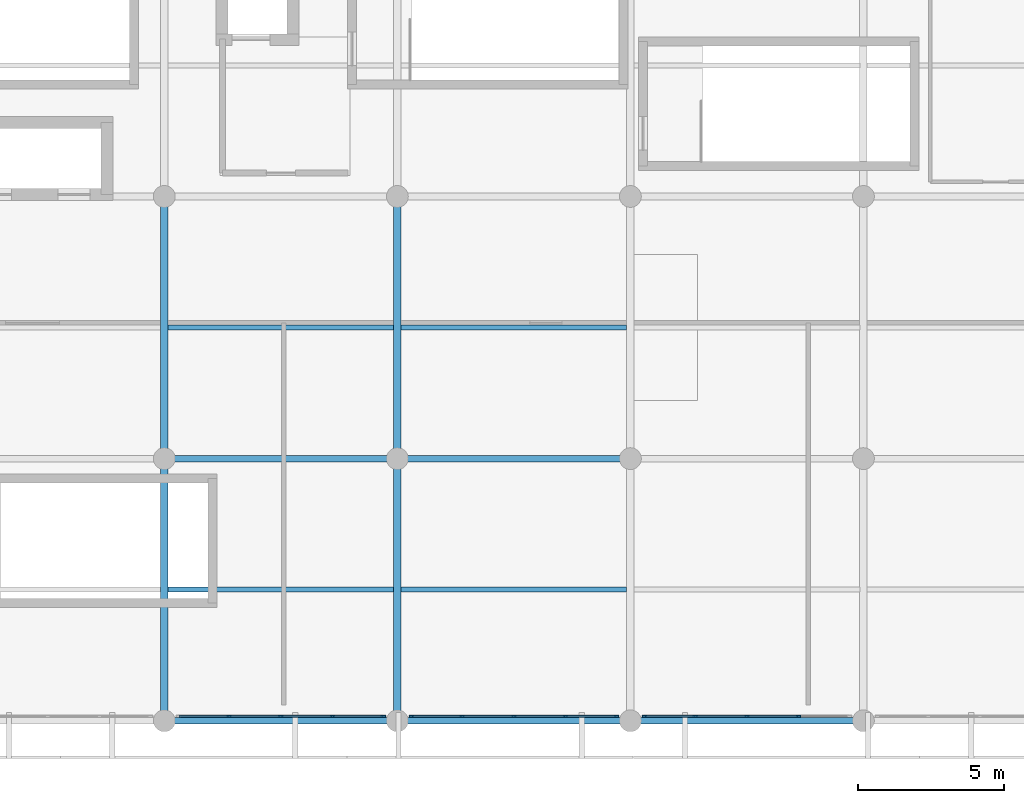
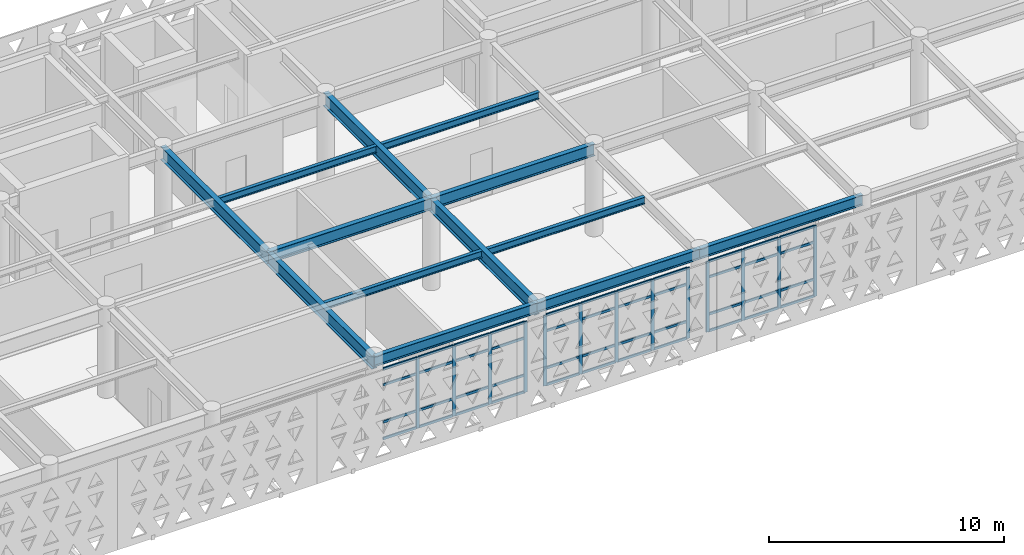
# One storey, part 7 of 26: 57 members, 13 beams, 3 elements without a shape of their own.
"""IFC4 building model written with IfcOpenShell, lengths in metres."""

import ifcopenshell
import ifcopenshell.guid

model = None  # the IFC model being written
_history = None  # IfcOwnerHistory: only IFC2X3 demands one
_inside = {}  # id of a spatial element -> (the spatial element, [elements in it])
_under = {}  # id of a project, library or spatial element -> (it, [spatial elements below it])
_declared = {}  # id of a project -> (the project, [libraries it declares])
_typed = {}  # id of a type object -> (the type object, [elements of that type])
_made_of = {}  # id of a material, layer set ... -> (it, [elements and type objects made of it])


def new_model(schema):
    """Start an empty IFC model of exactly this schema.

    Asked for "IFC4X3", IfcOpenShell would pick the latest addendum, in which some entities
    have other attributes; the version numbers below select the first issue.
    IFC2X3 requires an IfcOwnerHistory on every rooted entity: one is made here for all.
    """
    global model, _history
    if schema == "IFC4X3":
        model = ifcopenshell.file(schema_version=(4, 3, 0, 0))
    else:
        model = ifcopenshell.file(schema=schema)
    _inside.clear()
    _under.clear()
    _declared.clear()
    _typed.clear()
    _made_of.clear()
    _history = None
    if model.schema == "IFC2X3":
        org = make("IfcOrganization", Name="unknown")
        user = make(
            "IfcPersonAndOrganization",
            ThePerson=make("IfcPerson", FamilyName="unknown"),
            TheOrganization=org,
        )
        app = make(
            "IfcApplication",
            ApplicationDeveloper=org,
            Version="unknown",
            ApplicationFullName="unknown",
            ApplicationIdentifier="unknown",
        )
        _history = make(
            "IfcOwnerHistory",
            OwningUser=user,
            OwningApplication=app,
            ChangeAction="ADDED",
            CreationDate=0,
        )
    return model


def make(cls, **values):
    """One entity of the class cls with the attributes given. An attribute that is None is left unset."""
    return model.create_entity(
        cls, **{name: value for name, value in values.items() if value is not None}
    )


def rooted(cls, **values):
    """An entity with a GlobalId (a new one), such as an element, a storey or a relation."""
    return make(cls, GlobalId=ifcopenshell.guid.new(), OwnerHistory=_history, **values)


def si_unit(unit_type, name, prefix=None):
    """IfcSIUnit, for example si_unit("LENGTHUNIT", "METRE", prefix="MILLI")."""
    return make("IfcSIUnit", UnitType=unit_type, Prefix=prefix, Name=name)


def assignment(units):
    """IfcUnitAssignment: the units of a project."""
    return None if units is None else make("IfcUnitAssignment", Units=units)


def point(xyz):
    """IfcCartesianPoint."""
    return None if xyz is None else make("IfcCartesianPoint", Coordinates=xyz)


def direction(xyz):
    """IfcDirection."""
    return None if xyz is None else make("IfcDirection", DirectionRatios=xyz)


def frame(location, z_axis=None, x_axis=None):
    """IfcAxis2Placement3D, a coordinate frame: its origin and axes. An axis left out is left unset."""
    return make(
        "IfcAxis2Placement3D",
        Location=point(location),
        Axis=direction(z_axis),
        RefDirection=direction(x_axis),
    )


def frame_2d(location, x_axis=None):
    """IfcAxis2Placement2D, a coordinate frame in the plane: its origin and x axis."""
    return make(
        "IfcAxis2Placement2D", Location=point(location), RefDirection=direction(x_axis)
    )


def origin():
    """The frame at (0, 0, 0) with its axes left unset."""
    return frame((0.0, 0.0, 0.0))


def origin_2d():
    """The frame at (0, 0) in the plane with its x axis left unset."""
    return frame_2d((0.0, 0.0))


def place(relative_to, where):
    """IfcLocalPlacement: puts the frame where relative to a parent placement (None: the world)."""
    return make(
        "IfcLocalPlacement", PlacementRelTo=relative_to, RelativePlacement=where
    )


def context(
    kind, dimensions, precision=None, world=None, true_north=None, identifier=None
):
    """IfcGeometricRepresentationContext, for example the 3D "Model" context."""
    return make(
        "IfcGeometricRepresentationContext",
        ContextIdentifier=identifier,
        ContextType=kind,
        CoordinateSpaceDimension=dimensions,
        Precision=precision,
        WorldCoordinateSystem=world,
        TrueNorth=true_north,
    )


def subcontext(parent, identifier, kind, view, scale=None):
    """IfcGeometricRepresentationSubContext, for example "Body" below "Model"."""
    return make(
        "IfcGeometricRepresentationSubContext",
        ContextIdentifier=identifier,
        ContextType=kind,
        ParentContext=parent,
        TargetScale=scale,
        TargetView=view,
    )


def project(units=None, contexts=None):
    """IfcProject with its units and contexts."""
    return rooted(
        "IfcProject",
        Name="project",
        RepresentationContexts=contexts,
        UnitsInContext=assignment(units),
    )


def spatial(cls, under=None, at=None, **own):
    """A site, building, storey or space (cls), placed at a placement, below another one or the project."""
    s = rooted(cls, ObjectPlacement=at, **own)
    if under is not None:
        _under.setdefault(under.id(), (under, []))[1].append(s)
    return s


def profile(cls, at=None, kind="AREA", **sizes):
    """A parametric profile (cls). Its sizes go by their IFC names, for example OverallWidth=200.0."""
    return make(cls, ProfileType=kind, Position=at, **sizes)


def rectangle(**sizes):
    """IfcRectangleProfileDef."""
    return profile("IfcRectangleProfileDef", **sizes)


def i_section(**sizes):
    """IfcIShapeProfileDef."""
    return profile("IfcIShapeProfileDef", **sizes)


def extrude(swept, where, along, depth):
    """IfcExtrudedAreaSolid: the profile swept, set in the frame where, extruded along a direction by depth."""
    return make(
        "IfcExtrudedAreaSolid",
        SweptArea=swept,
        Position=where,
        ExtrudedDirection=direction(along),
        Depth=depth,
    )


def shape(context_of_items, identifier, shape_type, items):
    """IfcShapeRepresentation: the items that make up one representation, for example the "Body"."""
    return make(
        "IfcShapeRepresentation",
        ContextOfItems=context_of_items,
        RepresentationIdentifier=identifier,
        RepresentationType=shape_type,
        Items=items,
    )


def material(Name=None, Category=None):
    """IfcMaterial."""
    return make("IfcMaterial", Name=Name, Category=Category)


def layer(
    of_material, thickness, ventilated=None, Name=None, Category=None, Priority=None
):
    """IfcMaterialLayer: one layer of a wall or slab, of a material (None: an air gap)."""
    return make(
        "IfcMaterialLayer",
        Material=of_material,
        LayerThickness=thickness,
        IsVentilated=ventilated,
        Name=Name,
        Category=Category,
        Priority=Priority,
    )


def layer_set(layers, Name=None):
    """IfcMaterialLayerSet."""
    return make("IfcMaterialLayerSet", MaterialLayers=layers, LayerSetName=Name)


def material_profile(
    of_material, cross_section, Name=None, Category=None, Priority=None
):
    """IfcMaterialProfile: a cross section and its material."""
    return make(
        "IfcMaterialProfile",
        Name=Name,
        Material=of_material,
        Profile=cross_section,
        Priority=Priority,
        Category=Category,
    )


def profile_set(profiles, Name=None, composite=None):
    """IfcMaterialProfileSet."""
    return make(
        "IfcMaterialProfileSet",
        Name=Name,
        MaterialProfiles=profiles,
        CompositeProfile=composite,
    )


def made_of(thing, what):
    """Note that an element or type object is made of a material, layer set ...; save() writes the relation."""
    if what is not None:
        _made_of.setdefault(what.id(), (what, []))[1].append(thing)
    return thing


def type_object(cls, material=None, **own):
    """A type object (cls), such as IfcWallType, which elements share."""
    return made_of(rooted(cls, **own), material)


def element(
    cls,
    number,
    at=None,
    inside=None,
    cuts=None,
    type_object=None,
    material=None,
    context=None,
    identifier="Body",
    shape_type=None,
    held_by="IfcProductDefinitionShape",
    body=None,
    shapes=None,
    **own,
):
    """One element of the class cls, such as IfcWall. Its Tag is "e" and its number.

    at: its placement. inside: the storey or other place that contains it. cuts: it is an
    opening in that element (IfcRelVoidsElement). A single representation is given by context,
    identifier, shape_type and body (its items); several are given by shapes. held_by: the class
    of the entity that holds the representations. save() writes the other relations.
    """
    e = rooted(cls, Tag="e%d" % number, ObjectPlacement=at, **own)
    if body is not None:
        shapes = [shape(context, identifier, shape_type, body)]
    if shapes is not None:
        e.Representation = make(held_by, Representations=shapes)
    if inside is not None:
        _inside.setdefault(inside.id(), (inside, []))[1].append(e)
    if cuts is not None:
        rooted(
            "IfcRelVoidsElement", RelatingBuildingElement=cuts, RelatedOpeningElement=e
        )
    if type_object is not None:
        _typed.setdefault(type_object.id(), (type_object, []))[1].append(e)
    return made_of(e, material)


def aggregate(whole, parts):
    """IfcRelAggregates: a whole, such as a stair, and the parts it consists of."""
    return rooted("IfcRelAggregates", RelatingObject=whole, RelatedObjects=parts)


def save(model, path):
    """Write the relations noted so far, then the file.

    IfcRelAggregates (storeys below a building ...), IfcRelContainedInSpatialStructure (elements
    in a storey), IfcRelDefinesByType, IfcRelAssociatesMaterial and IfcRelDeclares: one each for
    every whole, place, type object, material and project.
    """
    for whole, parts in _under.values():
        aggregate(whole, parts)
    for where, things in _inside.values():
        rooted(
            "IfcRelContainedInSpatialStructure",
            RelatedElements=things,
            RelatingStructure=where,
        )
    for kind, things in _typed.values():
        rooted("IfcRelDefinesByType", RelatedObjects=things, RelatingType=kind)
    for what, things in _made_of.values():
        rooted("IfcRelAssociatesMaterial", RelatedObjects=things, RelatingMaterial=what)
    for by, libraries in _declared.values():
        rooted("IfcRelDeclares", RelatingContext=by, RelatedDefinitions=libraries)
    model.write(path)


model = new_model("IFC4")

# Units and contexts
model_context = context("Model", 3, precision=1e-05, world=origin(), true_north=direction((0.0, 1.0)))
body_context = subcontext(model_context, "Body", "Model", "MODEL_VIEW")
ifc_project = project(units=[si_unit("LENGTHUNIT", "METRE"), si_unit("AREAUNIT", "SQUARE_METRE"), si_unit("VOLUMEUNIT", "CUBIC_METRE"), si_unit("PLANEANGLEUNIT", "RADIAN"), si_unit("MASSUNIT", "GRAM", prefix="KILO")], contexts=[model_context])

# Site, building, storey
site_placement = place(None, origin())
site = spatial("IfcSite", under=ifc_project, at=site_placement, CompositionType="ELEMENT")
building_placement = place(site_placement, origin())
building = spatial("IfcBuilding", under=site, at=building_placement, Name="Tlacozan Convention Centre", CompositionType="ELEMENT")
storey_placement = place(building_placement, frame((0.0, 0.0, 21.0)))
storey = spatial("IfcBuildingStorey", under=building, at=storey_placement, Name="L04", CompositionType="ELEMENT", Elevation=21.0)

# Curtain wall, members
ifc_material_1 = material(Name="Dark Bronze Anodised Aluminium", Category="aluminium")
ifc_layer = layer(ifc_material_1, 0.159912109375)
ifc_layer_set = layer_set([ifc_layer], Name="Dark Bronze Anodised Aluminium")
curtain_wall_type = type_object("IfcCurtainWallType", Name="Unitised Congress L04 South CW05", PredefinedType="NOTDEFINED", material=ifc_layer_set)
curtain_wall_1_placement = place(storey_placement, origin())
curtain_wall_1 = element("IfcCurtainWall", 1, at=curtain_wall_1_placement, inside=storey, type_object=curtain_wall_type, Name="L04 CW-05 Run 126", PredefinedType="NOTDEFINED")
ifc_material_profile_1 = material_profile(ifc_material_1, rectangle(XDim=0.06494140625, YDim=0.159912109375, at=origin_2d()), Name="ALU 65x160")
ifc_profile_set_1 = profile_set([ifc_material_profile_1], Name="Dark Bronze Anodised Aluminium")
member_type_1 = type_object("IfcMemberType", Name="Curtain Wall Mullion 65x160", PredefinedType="MULLION", material=ifc_profile_set_1)
member_1_placement = place(storey_placement, frame((34.22509765625, 0.159912109375, 0.0), z_axis=(0.0, 0.0, 1.0), x_axis=(0.0, 1.0, 0.0)))
member_1 = element("IfcMember", 2, at=member_1_placement, type_object=member_type_1, Name="CW-05 mullion 2", PredefinedType="MULLION", context=body_context, shape_type="SweptSolid", body=[
    extrude(rectangle(XDim=0.06494140625, YDim=0.159912109375, at=origin_2d()), origin(), (0.0, 0.0, 1.0), 3.679931640625),
])
member_2_placement = place(storey_placement, frame((36.0, 0.159912109375, 0.0), z_axis=(0.0, 0.0, 1.0), x_axis=(0.0, 1.0, 0.0)))
member_2 = element("IfcMember", 3, at=member_2_placement, type_object=member_type_1, Name="CW-05 mullion 3", PredefinedType="MULLION", context=body_context, shape_type="SweptSolid", body=[
    extrude(rectangle(XDim=0.06494140625, YDim=0.159912109375, at=origin_2d()), origin(), (0.0, 0.0, 1.0), 3.679931640625),
])
member_3_placement = place(storey_placement, frame((37.77490234375, 0.159912109375, 0.0), z_axis=(0.0, 0.0, 1.0), x_axis=(0.0, 1.0, 0.0)))
member_3 = element("IfcMember", 4, at=member_3_placement, type_object=member_type_1, Name="CW-05 mullion 4", PredefinedType="MULLION", context=body_context, shape_type="SweptSolid", body=[
    extrude(rectangle(XDim=0.06494140625, YDim=0.159912109375, at=origin_2d()), origin(), (0.0, 0.0, 1.0), 3.679931640625),
])
member_4_placement = place(storey_placement, frame((39.517578125, 0.159912109375, 0.0), z_axis=(0.0, 0.0, 1.0), x_axis=(0.0, 1.0, 0.0)))
member_4 = element("IfcMember", 5, at=member_4_placement, type_object=member_type_1, Name="CW-05 mullion 5", PredefinedType="MULLION", context=body_context, shape_type="SweptSolid", body=[
    extrude(rectangle(XDim=0.06494140625, YDim=0.159912109375, at=origin_2d()), origin(), (0.0, 0.0, 1.0), 3.679931640625),
])

curtain_wall_2_placement = place(storey_placement, origin())
curtain_wall_2 = element("IfcCurtainWall", 6, at=curtain_wall_2_placement, inside=storey, type_object=curtain_wall_type, Name="L04 CW-05 Run 127", PredefinedType="NOTDEFINED")
member_5_placement = place(storey_placement, frame((40.482421875, 0.159912109375, 0.0), z_axis=(0.0, 0.0, 1.0), x_axis=(0.0, 1.0, 0.0)))
member_5 = element("IfcMember", 7, at=member_5_placement, type_object=member_type_1, Name="CW-05 mullion 1", PredefinedType="MULLION", context=body_context, shape_type="SweptSolid", body=[
    extrude(rectangle(XDim=0.06494140625, YDim=0.159912109375, at=origin_2d()), origin(), (0.0, 0.0, 1.0), 3.679931640625),
])
member_6_placement = place(storey_placement, frame((42.22509765625, 0.159912109375, 0.0), z_axis=(0.0, 0.0, 1.0), x_axis=(0.0, 1.0, 0.0)))
member_6 = element("IfcMember", 8, at=member_6_placement, type_object=member_type_1, Name="CW-05 mullion 2", PredefinedType="MULLION", context=body_context, shape_type="SweptSolid", body=[
    extrude(rectangle(XDim=0.06494140625, YDim=0.159912109375, at=origin_2d()), origin(), (0.0, 0.0, 1.0), 3.679931640625),
])
member_7_placement = place(storey_placement, frame((44.0, 0.159912109375, 0.0), z_axis=(0.0, 0.0, 1.0), x_axis=(0.0, 1.0, 0.0)))
member_7 = element("IfcMember", 9, at=member_7_placement, type_object=member_type_1, Name="CW-05 mullion 3", PredefinedType="MULLION", context=body_context, shape_type="SweptSolid", body=[
    extrude(rectangle(XDim=0.06494140625, YDim=0.159912109375, at=origin_2d()), origin(), (0.0, 0.0, 1.0), 3.679931640625),
])
member_8_placement = place(storey_placement, frame((45.77490234375, 0.159912109375, 0.0), z_axis=(0.0, 0.0, 1.0), x_axis=(0.0, 1.0, 0.0)))
member_8 = element("IfcMember", 10, at=member_8_placement, type_object=member_type_1, Name="CW-05 mullion 4", PredefinedType="MULLION", context=body_context, shape_type="SweptSolid", body=[
    extrude(rectangle(XDim=0.06494140625, YDim=0.159912109375, at=origin_2d()), origin(), (0.0, 0.0, 1.0), 3.679931640625),
])
member_9_placement = place(storey_placement, frame((47.517578125, 0.159912109375, 0.0), z_axis=(0.0, 0.0, 1.0), x_axis=(0.0, 1.0, 0.0)))
member_9 = element("IfcMember", 11, at=member_9_placement, type_object=member_type_1, Name="CW-05 mullion 5", PredefinedType="MULLION", context=body_context, shape_type="SweptSolid", body=[
    extrude(rectangle(XDim=0.06494140625, YDim=0.159912109375, at=origin_2d()), origin(), (0.0, 0.0, 1.0), 3.679931640625),
])

curtain_wall_3_placement = place(storey_placement, origin())
curtain_wall_3 = element("IfcCurtainWall", 12, at=curtain_wall_3_placement, inside=storey, type_object=curtain_wall_type, Name="L04 CW-05 Run 128", PredefinedType="NOTDEFINED")
member_10_placement = place(storey_placement, frame((48.482421875, 0.159912109375, 0.0), z_axis=(0.0, 0.0, 1.0), x_axis=(0.0, 1.0, 0.0)))
member_10 = element("IfcMember", 13, at=member_10_placement, type_object=member_type_1, Name="CW-05 mullion 1", PredefinedType="MULLION", context=body_context, shape_type="SweptSolid", body=[
    extrude(rectangle(XDim=0.06494140625, YDim=0.159912109375, at=origin_2d()), origin(), (0.0, 0.0, 1.0), 3.679931640625),
])
member_11_placement = place(storey_placement, frame((50.22509765625, 0.159912109375, 0.0), z_axis=(0.0, 0.0, 1.0), x_axis=(0.0, 1.0, 0.0)))
member_11 = element("IfcMember", 14, at=member_11_placement, type_object=member_type_1, Name="CW-05 mullion 2", PredefinedType="MULLION", context=body_context, shape_type="SweptSolid", body=[
    extrude(rectangle(XDim=0.06494140625, YDim=0.159912109375, at=origin_2d()), origin(), (0.0, 0.0, 1.0), 3.679931640625),
])
member_12_placement = place(storey_placement, frame((52.0, 0.159912109375, 0.0), z_axis=(0.0, 0.0, 1.0), x_axis=(0.0, 1.0, 0.0)))
member_12 = element("IfcMember", 15, at=member_12_placement, type_object=member_type_1, Name="CW-05 mullion 3", PredefinedType="MULLION", context=body_context, shape_type="SweptSolid", body=[
    extrude(rectangle(XDim=0.06494140625, YDim=0.159912109375, at=origin_2d()), origin(), (0.0, 0.0, 1.0), 3.679931640625),
])
member_13_placement = place(storey_placement, frame((53.77490234375, 0.159912109375, 0.0), z_axis=(0.0, 0.0, 1.0), x_axis=(0.0, 1.0, 0.0)))
member_13 = element("IfcMember", 16, at=member_13_placement, type_object=member_type_1, Name="CW-05 mullion 4", PredefinedType="MULLION", context=body_context, shape_type="SweptSolid", body=[
    extrude(rectangle(XDim=0.06494140625, YDim=0.159912109375, at=origin_2d()), origin(), (0.0, 0.0, 1.0), 3.679931640625),
])

# Member
ifc_material_profile_2 = material_profile(ifc_material_1, rectangle(XDim=0.06494140625, YDim=0.125, at=origin_2d()), Name="ALU 65x125")
ifc_profile_set_2 = profile_set([ifc_material_profile_2], Name="Dark Bronze Anodised Aluminium")
member_type_2 = type_object("IfcMemberType", Name="Curtain Wall Transom 65x125", PredefinedType="USERDEFINED", material=ifc_profile_set_2)
member_14_placement = place(storey_placement, frame((32.514892578125, 0.159912109375, 0.032470703125), z_axis=(1.0, 0.0, 0.0), x_axis=(0.0, 1.0, 0.0)))
member_14 = element("IfcMember", 17, at=member_14_placement, type_object=member_type_2, Name="CW-05 transom 1.1", ObjectType="TRANSOM", PredefinedType="USERDEFINED", context=body_context, shape_type="SweptSolid", body=[
    extrude(rectangle(XDim=0.06494140625, YDim=0.125, at=origin_2d()), origin(), (0.0, 0.0, 1.0), 1.677490234375),
])

member_15_placement = place(storey_placement, frame((32.514892578125, 0.159912109375, 0.89990234375), z_axis=(1.0, 0.0, 0.0), x_axis=(0.0, 1.0, 0.0)))
member_15 = element("IfcMember", 18, at=member_15_placement, type_object=member_type_2, Name="CW-05 transom 1.2", ObjectType="TRANSOM", PredefinedType="USERDEFINED", context=body_context, shape_type="SweptSolid", body=[
    extrude(rectangle(XDim=0.06494140625, YDim=0.125, at=origin_2d()), origin(), (0.0, 0.0, 1.0), 1.677490234375),
])

member_16_placement = place(storey_placement, frame((32.514892578125, 0.159912109375, 2.830078125), z_axis=(1.0, 0.0, 0.0), x_axis=(0.0, 1.0, 0.0)))
member_16 = element("IfcMember", 19, at=member_16_placement, type_object=member_type_2, Name="CW-05 transom 1.3", ObjectType="TRANSOM", PredefinedType="USERDEFINED", context=body_context, shape_type="SweptSolid", body=[
    extrude(rectangle(XDim=0.06494140625, YDim=0.125, at=origin_2d()), origin(), (0.0, 0.0, 1.0), 1.677490234375),
])

member_17_placement = place(storey_placement, frame((32.514892578125, 0.159912109375, 3.6474609375), z_axis=(1.0, 0.0, 0.0), x_axis=(0.0, 1.0, 0.0)))
member_17 = element("IfcMember", 20, at=member_17_placement, type_object=member_type_2, Name="CW-05 transom 1.4", ObjectType="TRANSOM", PredefinedType="USERDEFINED", context=body_context, shape_type="SweptSolid", body=[
    extrude(rectangle(XDim=0.06494140625, YDim=0.125, at=origin_2d()), origin(), (0.0, 0.0, 1.0), 1.677490234375),
])

member_18_placement = place(storey_placement, frame((34.257568359375, 0.159912109375, 0.032470703125), z_axis=(1.0, 0.0, 0.0), x_axis=(0.0, 1.0, 0.0)))
member_18 = element("IfcMember", 21, at=member_18_placement, type_object=member_type_2, Name="CW-05 transom 2.1", ObjectType="TRANSOM", PredefinedType="USERDEFINED", context=body_context, shape_type="SweptSolid", body=[
    extrude(rectangle(XDim=0.06494140625, YDim=0.125, at=origin_2d()), origin(), (0.0, 0.0, 1.0), 1.7099609375),
])

member_19_placement = place(storey_placement, frame((34.257568359375, 0.159912109375, 0.89990234375), z_axis=(1.0, 0.0, 0.0), x_axis=(0.0, 1.0, 0.0)))
member_19 = element("IfcMember", 22, at=member_19_placement, type_object=member_type_2, Name="CW-05 transom 2.2", ObjectType="TRANSOM", PredefinedType="USERDEFINED", context=body_context, shape_type="SweptSolid", body=[
    extrude(rectangle(XDim=0.06494140625, YDim=0.125, at=origin_2d()), origin(), (0.0, 0.0, 1.0), 1.7099609375),
])

member_20_placement = place(storey_placement, frame((34.257568359375, 0.159912109375, 2.830078125), z_axis=(1.0, 0.0, 0.0), x_axis=(0.0, 1.0, 0.0)))
member_20 = element("IfcMember", 23, at=member_20_placement, type_object=member_type_2, Name="CW-05 transom 2.3", ObjectType="TRANSOM", PredefinedType="USERDEFINED", context=body_context, shape_type="SweptSolid", body=[
    extrude(rectangle(XDim=0.06494140625, YDim=0.125, at=origin_2d()), origin(), (0.0, 0.0, 1.0), 1.7099609375),
])

member_21_placement = place(storey_placement, frame((34.257568359375, 0.159912109375, 3.6474609375), z_axis=(1.0, 0.0, 0.0), x_axis=(0.0, 1.0, 0.0)))
member_21 = element("IfcMember", 24, at=member_21_placement, type_object=member_type_2, Name="CW-05 transom 2.4", ObjectType="TRANSOM", PredefinedType="USERDEFINED", context=body_context, shape_type="SweptSolid", body=[
    extrude(rectangle(XDim=0.06494140625, YDim=0.125, at=origin_2d()), origin(), (0.0, 0.0, 1.0), 1.7099609375),
])

member_22_placement = place(storey_placement, frame((36.032470703125, 0.159912109375, 0.032470703125), z_axis=(1.0, 0.0, 0.0), x_axis=(0.0, 1.0, 0.0)))
member_22 = element("IfcMember", 25, at=member_22_placement, type_object=member_type_2, Name="CW-05 transom 3.1", ObjectType="TRANSOM", PredefinedType="USERDEFINED", context=body_context, shape_type="SweptSolid", body=[
    extrude(rectangle(XDim=0.06494140625, YDim=0.125, at=origin_2d()), origin(), (0.0, 0.0, 1.0), 1.7099609375),
])

member_23_placement = place(storey_placement, frame((36.032470703125, 0.159912109375, 0.89990234375), z_axis=(1.0, 0.0, 0.0), x_axis=(0.0, 1.0, 0.0)))
member_23 = element("IfcMember", 26, at=member_23_placement, type_object=member_type_2, Name="CW-05 transom 3.2", ObjectType="TRANSOM", PredefinedType="USERDEFINED", context=body_context, shape_type="SweptSolid", body=[
    extrude(rectangle(XDim=0.06494140625, YDim=0.125, at=origin_2d()), origin(), (0.0, 0.0, 1.0), 1.7099609375),
])

member_24_placement = place(storey_placement, frame((36.032470703125, 0.159912109375, 2.830078125), z_axis=(1.0, 0.0, 0.0), x_axis=(0.0, 1.0, 0.0)))
member_24 = element("IfcMember", 27, at=member_24_placement, type_object=member_type_2, Name="CW-05 transom 3.3", ObjectType="TRANSOM", PredefinedType="USERDEFINED", context=body_context, shape_type="SweptSolid", body=[
    extrude(rectangle(XDim=0.06494140625, YDim=0.125, at=origin_2d()), origin(), (0.0, 0.0, 1.0), 1.7099609375),
])

member_25_placement = place(storey_placement, frame((36.032470703125, 0.159912109375, 3.6474609375), z_axis=(1.0, 0.0, 0.0), x_axis=(0.0, 1.0, 0.0)))
member_25 = element("IfcMember", 28, at=member_25_placement, type_object=member_type_2, Name="CW-05 transom 3.4", ObjectType="TRANSOM", PredefinedType="USERDEFINED", context=body_context, shape_type="SweptSolid", body=[
    extrude(rectangle(XDim=0.06494140625, YDim=0.125, at=origin_2d()), origin(), (0.0, 0.0, 1.0), 1.7099609375),
])

member_26_placement = place(storey_placement, frame((37.8076171875, 0.159912109375, 0.032470703125), z_axis=(1.0, 0.0, 0.0), x_axis=(0.0, 1.0, 0.0)))
member_26 = element("IfcMember", 29, at=member_26_placement, type_object=member_type_2, Name="CW-05 transom 4.1", ObjectType="TRANSOM", PredefinedType="USERDEFINED", context=body_context, shape_type="SweptSolid", body=[
    extrude(rectangle(XDim=0.06494140625, YDim=0.125, at=origin_2d()), origin(), (0.0, 0.0, 1.0), 1.677490234375),
])

member_27_placement = place(storey_placement, frame((37.8076171875, 0.159912109375, 0.89990234375), z_axis=(1.0, 0.0, 0.0), x_axis=(0.0, 1.0, 0.0)))
member_27 = element("IfcMember", 30, at=member_27_placement, type_object=member_type_2, Name="CW-05 transom 4.2", ObjectType="TRANSOM", PredefinedType="USERDEFINED", context=body_context, shape_type="SweptSolid", body=[
    extrude(rectangle(XDim=0.06494140625, YDim=0.125, at=origin_2d()), origin(), (0.0, 0.0, 1.0), 1.677490234375),
])

member_28_placement = place(storey_placement, frame((37.8076171875, 0.159912109375, 2.830078125), z_axis=(1.0, 0.0, 0.0), x_axis=(0.0, 1.0, 0.0)))
member_28 = element("IfcMember", 31, at=member_28_placement, type_object=member_type_2, Name="CW-05 transom 4.3", ObjectType="TRANSOM", PredefinedType="USERDEFINED", context=body_context, shape_type="SweptSolid", body=[
    extrude(rectangle(XDim=0.06494140625, YDim=0.125, at=origin_2d()), origin(), (0.0, 0.0, 1.0), 1.677490234375),
])

member_29_placement = place(storey_placement, frame((37.8076171875, 0.159912109375, 3.6474609375), z_axis=(1.0, 0.0, 0.0), x_axis=(0.0, 1.0, 0.0)))
member_29 = element("IfcMember", 32, at=member_29_placement, type_object=member_type_2, Name="CW-05 transom 4.4", ObjectType="TRANSOM", PredefinedType="USERDEFINED", context=body_context, shape_type="SweptSolid", body=[
    extrude(rectangle(XDim=0.06494140625, YDim=0.125, at=origin_2d()), origin(), (0.0, 0.0, 1.0), 1.677490234375),
])

aggregate(curtain_wall_1, [member_1, member_2, member_3, member_4, member_14, member_15, member_16, member_17, member_18, member_19, member_20, member_21, member_22, member_23, member_24, member_25, member_26, member_27, member_28, member_29])

member_30_placement = place(storey_placement, frame((40.514892578125, 0.159912109375, 0.032470703125), z_axis=(1.0, 0.0, 0.0), x_axis=(0.0, 1.0, 0.0)))
member_30 = element("IfcMember", 33, at=member_30_placement, type_object=member_type_2, Name="CW-05 transom 1.1", ObjectType="TRANSOM", PredefinedType="USERDEFINED", context=body_context, shape_type="SweptSolid", body=[
    extrude(rectangle(XDim=0.06494140625, YDim=0.125, at=origin_2d()), origin(), (0.0, 0.0, 1.0), 1.677490234375),
])

member_31_placement = place(storey_placement, frame((40.514892578125, 0.159912109375, 0.89990234375), z_axis=(1.0, 0.0, 0.0), x_axis=(0.0, 1.0, 0.0)))
member_31 = element("IfcMember", 34, at=member_31_placement, type_object=member_type_2, Name="CW-05 transom 1.2", ObjectType="TRANSOM", PredefinedType="USERDEFINED", context=body_context, shape_type="SweptSolid", body=[
    extrude(rectangle(XDim=0.06494140625, YDim=0.125, at=origin_2d()), origin(), (0.0, 0.0, 1.0), 1.677490234375),
])

member_32_placement = place(storey_placement, frame((40.514892578125, 0.159912109375, 2.830078125), z_axis=(1.0, 0.0, 0.0), x_axis=(0.0, 1.0, 0.0)))
member_32 = element("IfcMember", 35, at=member_32_placement, type_object=member_type_2, Name="CW-05 transom 1.3", ObjectType="TRANSOM", PredefinedType="USERDEFINED", context=body_context, shape_type="SweptSolid", body=[
    extrude(rectangle(XDim=0.06494140625, YDim=0.125, at=origin_2d()), origin(), (0.0, 0.0, 1.0), 1.677490234375),
])

member_33_placement = place(storey_placement, frame((40.514892578125, 0.159912109375, 3.6474609375), z_axis=(1.0, 0.0, 0.0), x_axis=(0.0, 1.0, 0.0)))
member_33 = element("IfcMember", 36, at=member_33_placement, type_object=member_type_2, Name="CW-05 transom 1.4", ObjectType="TRANSOM", PredefinedType="USERDEFINED", context=body_context, shape_type="SweptSolid", body=[
    extrude(rectangle(XDim=0.06494140625, YDim=0.125, at=origin_2d()), origin(), (0.0, 0.0, 1.0), 1.677490234375),
])

member_34_placement = place(storey_placement, frame((42.257568359375, 0.159912109375, 0.032470703125), z_axis=(1.0, 0.0, 0.0), x_axis=(0.0, 1.0, 0.0)))
member_34 = element("IfcMember", 37, at=member_34_placement, type_object=member_type_2, Name="CW-05 transom 2.1", ObjectType="TRANSOM", PredefinedType="USERDEFINED", context=body_context, shape_type="SweptSolid", body=[
    extrude(rectangle(XDim=0.06494140625, YDim=0.125, at=origin_2d()), origin(), (0.0, 0.0, 1.0), 1.7099609375),
])

member_35_placement = place(storey_placement, frame((42.257568359375, 0.159912109375, 0.89990234375), z_axis=(1.0, 0.0, 0.0), x_axis=(0.0, 1.0, 0.0)))
member_35 = element("IfcMember", 38, at=member_35_placement, type_object=member_type_2, Name="CW-05 transom 2.2", ObjectType="TRANSOM", PredefinedType="USERDEFINED", context=body_context, shape_type="SweptSolid", body=[
    extrude(rectangle(XDim=0.06494140625, YDim=0.125, at=origin_2d()), origin(), (0.0, 0.0, 1.0), 1.7099609375),
])

member_36_placement = place(storey_placement, frame((42.257568359375, 0.159912109375, 2.830078125), z_axis=(1.0, 0.0, 0.0), x_axis=(0.0, 1.0, 0.0)))
member_36 = element("IfcMember", 39, at=member_36_placement, type_object=member_type_2, Name="CW-05 transom 2.3", ObjectType="TRANSOM", PredefinedType="USERDEFINED", context=body_context, shape_type="SweptSolid", body=[
    extrude(rectangle(XDim=0.06494140625, YDim=0.125, at=origin_2d()), origin(), (0.0, 0.0, 1.0), 1.7099609375),
])

member_37_placement = place(storey_placement, frame((42.257568359375, 0.159912109375, 3.6474609375), z_axis=(1.0, 0.0, 0.0), x_axis=(0.0, 1.0, 0.0)))
member_37 = element("IfcMember", 40, at=member_37_placement, type_object=member_type_2, Name="CW-05 transom 2.4", ObjectType="TRANSOM", PredefinedType="USERDEFINED", context=body_context, shape_type="SweptSolid", body=[
    extrude(rectangle(XDim=0.06494140625, YDim=0.125, at=origin_2d()), origin(), (0.0, 0.0, 1.0), 1.7099609375),
])

member_38_placement = place(storey_placement, frame((44.032470703125, 0.159912109375, 0.032470703125), z_axis=(1.0, 0.0, 0.0), x_axis=(0.0, 1.0, 0.0)))
member_38 = element("IfcMember", 41, at=member_38_placement, type_object=member_type_2, Name="CW-05 transom 3.1", ObjectType="TRANSOM", PredefinedType="USERDEFINED", context=body_context, shape_type="SweptSolid", body=[
    extrude(rectangle(XDim=0.06494140625, YDim=0.125, at=origin_2d()), origin(), (0.0, 0.0, 1.0), 1.7099609375),
])

member_39_placement = place(storey_placement, frame((44.032470703125, 0.159912109375, 0.89990234375), z_axis=(1.0, 0.0, 0.0), x_axis=(0.0, 1.0, 0.0)))
member_39 = element("IfcMember", 42, at=member_39_placement, type_object=member_type_2, Name="CW-05 transom 3.2", ObjectType="TRANSOM", PredefinedType="USERDEFINED", context=body_context, shape_type="SweptSolid", body=[
    extrude(rectangle(XDim=0.06494140625, YDim=0.125, at=origin_2d()), origin(), (0.0, 0.0, 1.0), 1.7099609375),
])

member_40_placement = place(storey_placement, frame((44.032470703125, 0.159912109375, 2.830078125), z_axis=(1.0, 0.0, 0.0), x_axis=(0.0, 1.0, 0.0)))
member_40 = element("IfcMember", 43, at=member_40_placement, type_object=member_type_2, Name="CW-05 transom 3.3", ObjectType="TRANSOM", PredefinedType="USERDEFINED", context=body_context, shape_type="SweptSolid", body=[
    extrude(rectangle(XDim=0.06494140625, YDim=0.125, at=origin_2d()), origin(), (0.0, 0.0, 1.0), 1.7099609375),
])

member_41_placement = place(storey_placement, frame((44.032470703125, 0.159912109375, 3.6474609375), z_axis=(1.0, 0.0, 0.0), x_axis=(0.0, 1.0, 0.0)))
member_41 = element("IfcMember", 44, at=member_41_placement, type_object=member_type_2, Name="CW-05 transom 3.4", ObjectType="TRANSOM", PredefinedType="USERDEFINED", context=body_context, shape_type="SweptSolid", body=[
    extrude(rectangle(XDim=0.06494140625, YDim=0.125, at=origin_2d()), origin(), (0.0, 0.0, 1.0), 1.7099609375),
])

member_42_placement = place(storey_placement, frame((45.8076171875, 0.159912109375, 0.032470703125), z_axis=(1.0, 0.0, 0.0), x_axis=(0.0, 1.0, 0.0)))
member_42 = element("IfcMember", 45, at=member_42_placement, type_object=member_type_2, Name="CW-05 transom 4.1", ObjectType="TRANSOM", PredefinedType="USERDEFINED", context=body_context, shape_type="SweptSolid", body=[
    extrude(rectangle(XDim=0.06494140625, YDim=0.125, at=origin_2d()), origin(), (0.0, 0.0, 1.0), 1.677490234375),
])

member_43_placement = place(storey_placement, frame((45.8076171875, 0.159912109375, 0.89990234375), z_axis=(1.0, 0.0, 0.0), x_axis=(0.0, 1.0, 0.0)))
member_43 = element("IfcMember", 46, at=member_43_placement, type_object=member_type_2, Name="CW-05 transom 4.2", ObjectType="TRANSOM", PredefinedType="USERDEFINED", context=body_context, shape_type="SweptSolid", body=[
    extrude(rectangle(XDim=0.06494140625, YDim=0.125, at=origin_2d()), origin(), (0.0, 0.0, 1.0), 1.677490234375),
])

member_44_placement = place(storey_placement, frame((45.8076171875, 0.159912109375, 2.830078125), z_axis=(1.0, 0.0, 0.0), x_axis=(0.0, 1.0, 0.0)))
member_44 = element("IfcMember", 47, at=member_44_placement, type_object=member_type_2, Name="CW-05 transom 4.3", ObjectType="TRANSOM", PredefinedType="USERDEFINED", context=body_context, shape_type="SweptSolid", body=[
    extrude(rectangle(XDim=0.06494140625, YDim=0.125, at=origin_2d()), origin(), (0.0, 0.0, 1.0), 1.677490234375),
])

member_45_placement = place(storey_placement, frame((45.8076171875, 0.159912109375, 3.6474609375), z_axis=(1.0, 0.0, 0.0), x_axis=(0.0, 1.0, 0.0)))
member_45 = element("IfcMember", 48, at=member_45_placement, type_object=member_type_2, Name="CW-05 transom 4.4", ObjectType="TRANSOM", PredefinedType="USERDEFINED", context=body_context, shape_type="SweptSolid", body=[
    extrude(rectangle(XDim=0.06494140625, YDim=0.125, at=origin_2d()), origin(), (0.0, 0.0, 1.0), 1.677490234375),
])

aggregate(curtain_wall_2, [member_5, member_6, member_7, member_8, member_9, member_30, member_31, member_32, member_33, member_34, member_35, member_36, member_37, member_38, member_39, member_40, member_41, member_42, member_43, member_44, member_45])

member_46_placement = place(storey_placement, frame((48.514892578125, 0.159912109375, 0.032470703125), z_axis=(1.0, 0.0, 0.0), x_axis=(0.0, 1.0, 0.0)))
member_46 = element("IfcMember", 49, at=member_46_placement, type_object=member_type_2, Name="CW-05 transom 1.1", ObjectType="TRANSOM", PredefinedType="USERDEFINED", context=body_context, shape_type="SweptSolid", body=[
    extrude(rectangle(XDim=0.06494140625, YDim=0.125, at=origin_2d()), origin(), (0.0, 0.0, 1.0), 1.677490234375),
])

member_47_placement = place(storey_placement, frame((48.514892578125, 0.159912109375, 0.89990234375), z_axis=(1.0, 0.0, 0.0), x_axis=(0.0, 1.0, 0.0)))
member_47 = element("IfcMember", 50, at=member_47_placement, type_object=member_type_2, Name="CW-05 transom 1.2", ObjectType="TRANSOM", PredefinedType="USERDEFINED", context=body_context, shape_type="SweptSolid", body=[
    extrude(rectangle(XDim=0.06494140625, YDim=0.125, at=origin_2d()), origin(), (0.0, 0.0, 1.0), 1.677490234375),
])

member_48_placement = place(storey_placement, frame((48.514892578125, 0.159912109375, 2.830078125), z_axis=(1.0, 0.0, 0.0), x_axis=(0.0, 1.0, 0.0)))
member_48 = element("IfcMember", 51, at=member_48_placement, type_object=member_type_2, Name="CW-05 transom 1.3", ObjectType="TRANSOM", PredefinedType="USERDEFINED", context=body_context, shape_type="SweptSolid", body=[
    extrude(rectangle(XDim=0.06494140625, YDim=0.125, at=origin_2d()), origin(), (0.0, 0.0, 1.0), 1.677490234375),
])

member_49_placement = place(storey_placement, frame((48.514892578125, 0.159912109375, 3.6474609375), z_axis=(1.0, 0.0, 0.0), x_axis=(0.0, 1.0, 0.0)))
member_49 = element("IfcMember", 52, at=member_49_placement, type_object=member_type_2, Name="CW-05 transom 1.4", ObjectType="TRANSOM", PredefinedType="USERDEFINED", context=body_context, shape_type="SweptSolid", body=[
    extrude(rectangle(XDim=0.06494140625, YDim=0.125, at=origin_2d()), origin(), (0.0, 0.0, 1.0), 1.677490234375),
])

member_50_placement = place(storey_placement, frame((50.257568359375, 0.159912109375, 0.032470703125), z_axis=(1.0, 0.0, 0.0), x_axis=(0.0, 1.0, 0.0)))
member_50 = element("IfcMember", 53, at=member_50_placement, type_object=member_type_2, Name="CW-05 transom 2.1", ObjectType="TRANSOM", PredefinedType="USERDEFINED", context=body_context, shape_type="SweptSolid", body=[
    extrude(rectangle(XDim=0.06494140625, YDim=0.125, at=origin_2d()), origin(), (0.0, 0.0, 1.0), 1.7099609375),
])

member_51_placement = place(storey_placement, frame((50.257568359375, 0.159912109375, 0.89990234375), z_axis=(1.0, 0.0, 0.0), x_axis=(0.0, 1.0, 0.0)))
member_51 = element("IfcMember", 54, at=member_51_placement, type_object=member_type_2, Name="CW-05 transom 2.2", ObjectType="TRANSOM", PredefinedType="USERDEFINED", context=body_context, shape_type="SweptSolid", body=[
    extrude(rectangle(XDim=0.06494140625, YDim=0.125, at=origin_2d()), origin(), (0.0, 0.0, 1.0), 1.7099609375),
])

member_52_placement = place(storey_placement, frame((50.257568359375, 0.159912109375, 2.830078125), z_axis=(1.0, 0.0, 0.0), x_axis=(0.0, 1.0, 0.0)))
member_52 = element("IfcMember", 55, at=member_52_placement, type_object=member_type_2, Name="CW-05 transom 2.3", ObjectType="TRANSOM", PredefinedType="USERDEFINED", context=body_context, shape_type="SweptSolid", body=[
    extrude(rectangle(XDim=0.06494140625, YDim=0.125, at=origin_2d()), origin(), (0.0, 0.0, 1.0), 1.7099609375),
])

member_53_placement = place(storey_placement, frame((50.257568359375, 0.159912109375, 3.6474609375), z_axis=(1.0, 0.0, 0.0), x_axis=(0.0, 1.0, 0.0)))
member_53 = element("IfcMember", 56, at=member_53_placement, type_object=member_type_2, Name="CW-05 transom 2.4", ObjectType="TRANSOM", PredefinedType="USERDEFINED", context=body_context, shape_type="SweptSolid", body=[
    extrude(rectangle(XDim=0.06494140625, YDim=0.125, at=origin_2d()), origin(), (0.0, 0.0, 1.0), 1.7099609375),
])

member_54_placement = place(storey_placement, frame((52.032470703125, 0.159912109375, 0.032470703125), z_axis=(1.0, 0.0, 0.0), x_axis=(0.0, 1.0, 0.0)))
member_54 = element("IfcMember", 57, at=member_54_placement, type_object=member_type_2, Name="CW-05 transom 3.1", ObjectType="TRANSOM", PredefinedType="USERDEFINED", context=body_context, shape_type="SweptSolid", body=[
    extrude(rectangle(XDim=0.06494140625, YDim=0.125, at=origin_2d()), origin(), (0.0, 0.0, 1.0), 1.7099609375),
])

member_55_placement = place(storey_placement, frame((52.032470703125, 0.159912109375, 0.89990234375), z_axis=(1.0, 0.0, 0.0), x_axis=(0.0, 1.0, 0.0)))
member_55 = element("IfcMember", 58, at=member_55_placement, type_object=member_type_2, Name="CW-05 transom 3.2", ObjectType="TRANSOM", PredefinedType="USERDEFINED", context=body_context, shape_type="SweptSolid", body=[
    extrude(rectangle(XDim=0.06494140625, YDim=0.125, at=origin_2d()), origin(), (0.0, 0.0, 1.0), 1.7099609375),
])

member_56_placement = place(storey_placement, frame((52.032470703125, 0.159912109375, 2.830078125), z_axis=(1.0, 0.0, 0.0), x_axis=(0.0, 1.0, 0.0)))
member_56 = element("IfcMember", 59, at=member_56_placement, type_object=member_type_2, Name="CW-05 transom 3.3", ObjectType="TRANSOM", PredefinedType="USERDEFINED", context=body_context, shape_type="SweptSolid", body=[
    extrude(rectangle(XDim=0.06494140625, YDim=0.125, at=origin_2d()), origin(), (0.0, 0.0, 1.0), 1.7099609375),
])

member_57_placement = place(storey_placement, frame((52.032470703125, 0.159912109375, 3.6474609375), z_axis=(1.0, 0.0, 0.0), x_axis=(0.0, 1.0, 0.0)))
member_57 = element("IfcMember", 60, at=member_57_placement, type_object=member_type_2, Name="CW-05 transom 3.4", ObjectType="TRANSOM", PredefinedType="USERDEFINED", context=body_context, shape_type="SweptSolid", body=[
    extrude(rectangle(XDim=0.06494140625, YDim=0.125, at=origin_2d()), origin(), (0.0, 0.0, 1.0), 1.7099609375),
])

aggregate(curtain_wall_3, [member_10, member_11, member_12, member_13, member_46, member_47, member_48, member_49, member_50, member_51, member_52, member_53, member_54, member_55, member_56, member_57])

# Beams
ifc_material_2 = material(Name="Steel ASTM A992 Grade 50", Category="steel")
ifc_material_profile_3 = material_profile(ifc_material_2, i_section(OverallWidth=0.22900390625, OverallDepth=0.612060546875, WebThickness=0.011962890625, FlangeThickness=0.01953125, FilletRadius=0.012939453125, at=origin_2d()), Name="IR 610x125.0")
ifc_profile_set_3 = profile_set([ifc_material_profile_3], Name="Steel ASTM A992 Grade 50")
beam_type_1 = type_object("IfcBeamType", Name="Floor Beam IR 610x125", PredefinedType="BEAM", material=ifc_profile_set_3)
for number, where, z_axis, x_axis, name in (
    (61, (32.0, 9.0, 4.333984375), (1.0, 0.0, 0.0), (0.0, 1.0, 0.0), "L04 Floor Beam IR 610x125 702"),
    (62, (40.0, 9.0, 4.333984375), (1.0, 0.0, 0.0), (0.0, 1.0, 0.0), "L04 Floor Beam IR 610x125 706"),
):
    element("IfcBeam", number, at=place(storey_placement, frame(where, z_axis=z_axis, x_axis=x_axis)), inside=storey, type_object=beam_type_1, Name=name, PredefinedType="BEAM", context=body_context, shape_type="SweptSolid", body=[
        extrude(i_section(OverallWidth=0.22900390625, OverallDepth=0.612060546875, WebThickness=0.011962890625, FlangeThickness=0.01953125, FilletRadius=0.012939453125, at=origin_2d()), origin(), (0.0, 0.0, 1.0), 8.0),
    ])
ifc_material_profile_4 = material_profile(ifc_material_2, i_section(OverallWidth=0.256103515625, OverallDepth=0.693115234375, WebThickness=0.014404296875, FlangeThickness=0.023681640625, FilletRadius=0.014892578125, at=origin_2d()), Name="IR 686x170.0")
ifc_profile_set_4 = profile_set([ifc_material_profile_4], Name="Steel ASTM A992 Grade 50")
beam_type_2 = type_object("IfcBeamType", Name="Girder Steel IR 686x170", PredefinedType="BEAM", material=ifc_profile_set_4)
for number, where, z_axis, x_axis, name in (
    (63, (32.0, 0.0, 4.29345703125), (0.0, 1.0, 0.0), (-1.0, 0.0, 0.0), "L04 Girder Steel IR 686x170 659"),
    (64, (32.0, 9.0, 4.29345703125), (0.0, 1.0, 0.0), (-1.0, 0.0, 0.0), "L04 Girder Steel IR 686x170 660"),
    (65, (40.0, 0.0, 4.29345703125), (0.0, 1.0, 0.0), (-1.0, 0.0, 0.0), "L04 Girder Steel IR 686x170 662"),
    (66, (40.0, 9.0, 4.29345703125), (0.0, 1.0, 0.0), (-1.0, 0.0, 0.0), "L04 Girder Steel IR 686x170 663"),
):
    element("IfcBeam", number, at=place(storey_placement, frame(where, z_axis=z_axis, x_axis=x_axis)), inside=storey, type_object=beam_type_2, Name=name, PredefinedType="BEAM", context=body_context, shape_type="SweptSolid", body=[
        extrude(i_section(OverallWidth=0.256103515625, OverallDepth=0.693115234375, WebThickness=0.014404296875, FlangeThickness=0.023681640625, FilletRadius=0.014892578125, at=origin_2d()), origin(), (0.0, 0.0, 1.0), 9.0),
    ])
ifc_material_profile_5 = material_profile(ifc_material_2, i_section(OverallWidth=0.2109375, OverallDepth=0.5390625, WebThickness=0.01171875, FlangeThickness=0.018798828125, FilletRadius=0.012939453125, at=origin_2d()), Name="IR 533x109.0")
ifc_profile_set_5 = profile_set([ifc_material_profile_5], Name="Steel ASTM A992 Grade 50")
beam_type_3 = type_object("IfcBeamType", Name="Perimeter Spandrel IR 533x109", PredefinedType="SPANDREL", material=ifc_profile_set_5)
for number, where, z_axis, x_axis, name in (
    (67, (32.0, 0.0, 4.37060546875), (1.0, 0.0, 0.0), (0.0, 1.0, 0.0), "L04 Perimeter Spandrel IR 533x109 701"),
    (68, (40.0, 0.0, 4.37060546875), (1.0, 0.0, 0.0), (0.0, 1.0, 0.0), "L04 Perimeter Spandrel IR 533x109 705"),
    (69, (48.0, 0.0, 4.37060546875), (1.0, 0.0, 0.0), (0.0, 1.0, 0.0), "L04 Perimeter Spandrel IR 533x109 709"),
):
    element("IfcBeam", number, at=place(storey_placement, frame(where, z_axis=z_axis, x_axis=x_axis)), inside=storey, type_object=beam_type_3, Name=name, PredefinedType="SPANDREL", context=body_context, shape_type="SweptSolid", body=[
        extrude(i_section(OverallWidth=0.2109375, OverallDepth=0.5390625, WebThickness=0.01171875, FlangeThickness=0.018798828125, FilletRadius=0.012939453125, at=origin_2d()), origin(), (0.0, 0.0, 1.0), 8.0),
    ])
ifc_material_profile_6 = material_profile(ifc_material_2, i_section(OverallWidth=0.173095703125, OverallDepth=0.364013671875, WebThickness=0.009033203125, FlangeThickness=0.015625, FilletRadius=0.010009765625, at=origin_2d()), Name="IR 356x67.1")
ifc_profile_set_6 = profile_set([ifc_material_profile_6], Name="Steel ASTM A992 Grade 50")
beam_type_4 = type_object("IfcBeamType", Name="Secondary Joist IR 356x67.1", PredefinedType="JOIST", material=ifc_profile_set_6)
for number, where, z_axis, x_axis, name in (
    (70, (32.1259765625, 4.5, 4.4580078125), (1.0, 0.0, 0.0), (0.0, 1.0, 0.0), "L04 Secondary Joist IR 356x67.1 745"),
    (71, (32.1259765625, 13.5, 4.4580078125), (1.0, 0.0, 0.0), (0.0, 1.0, 0.0), "L04 Secondary Joist IR 356x67.1 746"),
    (72, (40.1259765625, 4.5, 4.4580078125), (1.0, 0.0, 0.0), (0.0, 1.0, 0.0), "L04 Secondary Joist IR 356x67.1 748"),
    (73, (40.1259765625, 13.5, 4.4580078125), (1.0, 0.0, 0.0), (0.0, 1.0, 0.0), "L04 Secondary Joist IR 356x67.1 749"),
):
    element("IfcBeam", number, at=place(storey_placement, frame(where, z_axis=z_axis, x_axis=x_axis)), inside=storey, type_object=beam_type_4, Name=name, PredefinedType="JOIST", context=body_context, shape_type="SweptSolid", body=[
        extrude(i_section(OverallWidth=0.173095703125, OverallDepth=0.364013671875, WebThickness=0.009033203125, FlangeThickness=0.015625, FilletRadius=0.010009765625, at=origin_2d()), origin(), (0.0, 0.0, 1.0), 7.748046875),
    ])

save(model, "model.ifc")
